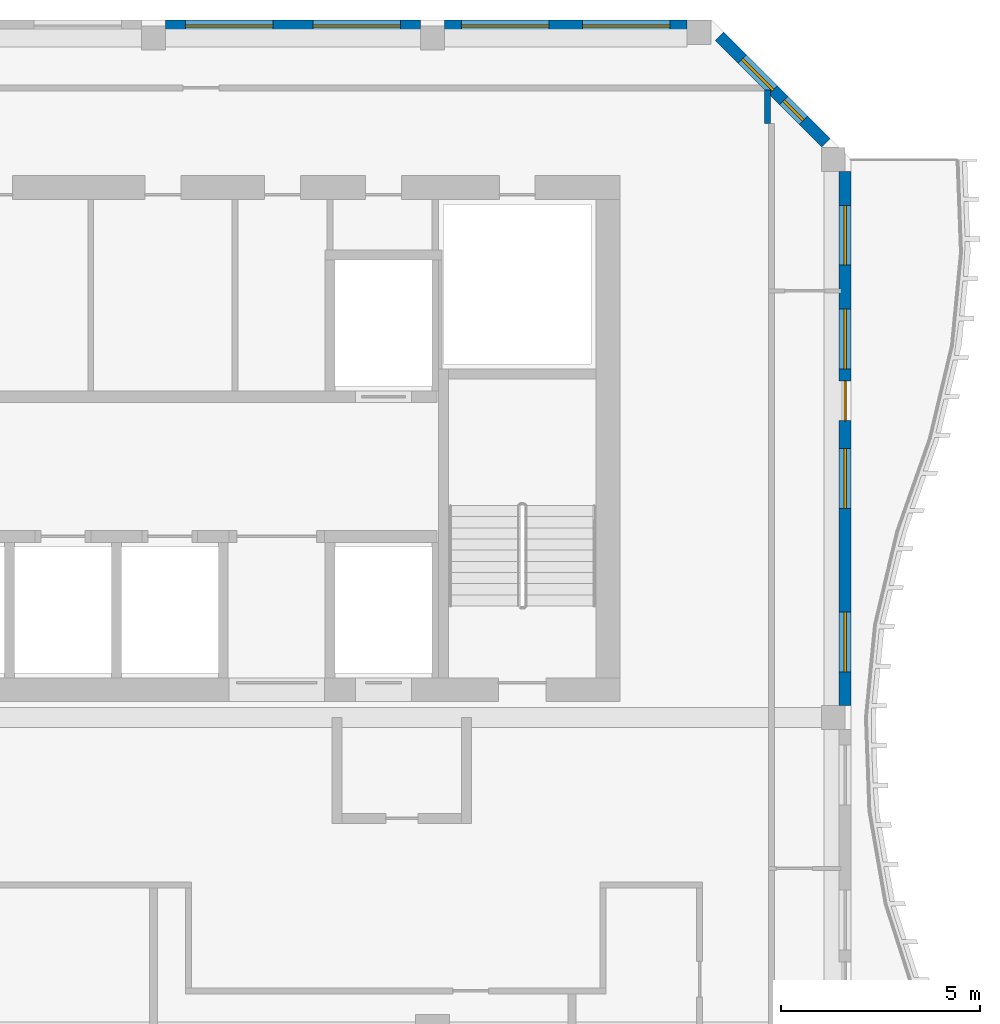
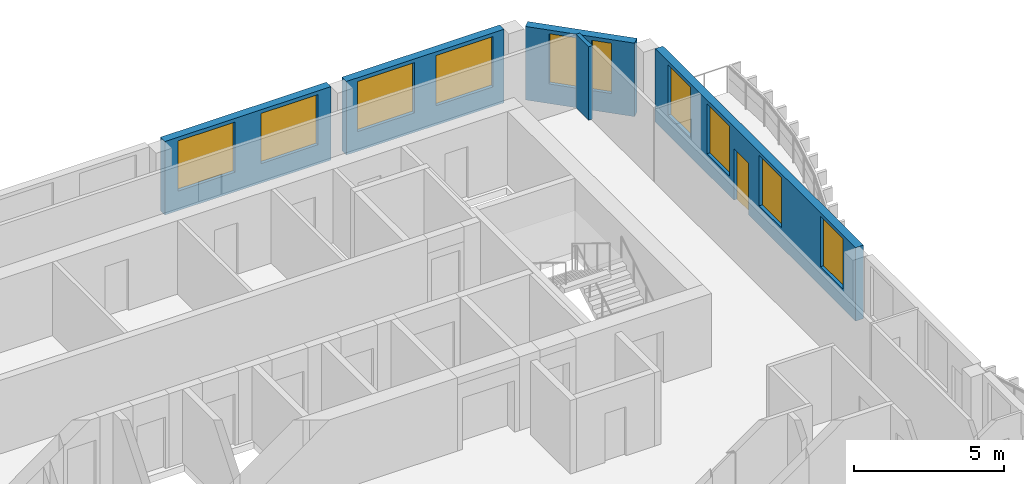
# One storey, part 9 of 14: 10 windows, 5 walls, 1 door, 11 openings.
"""IFC4 building model written with IfcOpenShell, lengths in metres."""

from ifc_helpers import new_model, si_unit, direction, frame, frame_2d, origin, place, context, subcontext, project, spatial, rectangle, extrude, source, transform, mapped, material, layer, layer_set, type_object, element, fill, save


model = new_model("IFC4")

# Units and contexts
model_context = context("Model", 3, precision=1e-05, world=origin(), true_north=direction((0.0, 1.0)))
body_context = subcontext(model_context, "Body", "Model", "MODEL_VIEW")
ifc_project = project(units=[si_unit("LENGTHUNIT", "METRE"), si_unit("AREAUNIT", "SQUARE_METRE"), si_unit("VOLUMEUNIT", "CUBIC_METRE"), si_unit("PLANEANGLEUNIT", "RADIAN"), si_unit("MASSUNIT", "GRAM", prefix="KILO")], contexts=[model_context])

# Site, building, storey
site_placement = place(None, origin())
site = spatial("IfcSite", under=ifc_project, at=site_placement, CompositionType="ELEMENT")
building_placement = place(site_placement, origin())
building = spatial("IfcBuilding", under=site, at=building_placement, Name="Kilnfold Tower and Market Hall", CompositionType="ELEMENT")
storey_placement = place(building_placement, frame((0.0, 0.0, 315.39990234375)))
storey = spatial("IfcBuildingStorey", under=building, at=storey_placement, Name="L79", CompositionType="ELEMENT", Elevation=315.39990234375)

# Wall
ifc_material_1 = material(Name="Gypsum board on steel studs", Category="steel")
ifc_layer_1 = layer(ifc_material_1, 0.14990234375)
ifc_layer_set_1 = layer_set([ifc_layer_1], Name="Gypsum board on steel studs")
wall_type_1 = type_object("IfcWallType", Name="WALL CORRIDOR 150", PredefinedType="PARTITIONING", material=ifc_layer_set_1)
wall_1_placement = place(storey_placement, frame((21.39990234375, 22.89990234375, 0.0), z_axis=(0.0, 0.0, 1.0), x_axis=(0.0, 1.0, 0.0)))
element("IfcWall", 1, at=wall_1_placement, inside=storey, type_object=wall_type_1, Name="Partition LY47.8", PredefinedType="PARTITIONING", context=body_context, shape_type="SweptSolid", body=[
    extrude(rectangle(XDim=0.84619140625, YDim=0.14990234375, at=frame_2d((0.423095703125, 0.0))), origin(), (0.0, 0.0, 1.0), 3.0),
])

# Wall, openings, windows
ifc_material_2 = material(Name="Precast concrete C50/60", Category="concrete")
ifc_layer_2 = layer(ifc_material_2, 0.300048828125)
ifc_layer_set_2 = layer_set([ifc_layer_2], Name="Precast concrete C50/60")
wall_type_2 = type_object("IfcWallType", Name="PRECAST WALL 300", PredefinedType="SOLIDWALL", material=ifc_layer_set_2)
shared_shape_1 = source(origin(), body_context, "Body", "SweptSolid", [
    extrude(rectangle(XDim=6.39990234375, YDim=0.300048828125, at=frame_2d((3.199951171875, 0.0))), origin(), (0.0, 0.0, 1.0), 3.0),
])
wall_2_placement = place(storey_placement, frame((12.699951171875, 25.35009765625, 0.0), z_axis=(0.0, 0.0, 1.0), x_axis=(-1.0, 0.0, 0.0)))
wall_2 = element("IfcWall", 2, at=wall_2_placement, inside=storey, type_object=wall_type_2, Name="External wall L79 N", PredefinedType="SOLIDWALL", context=body_context, shape_type="MappedRepresentation", body=[
    mapped(shared_shape_1, transform((0.0, 0.0, 0.0))),
])
opening_1_placement = place(wall_2_placement, frame((0.5, 0.0, 0.800048828125)))
opening_1 = element("IfcOpeningElement", 3, at=opening_1_placement, cuts=wall_2, Name="Opening W3", PredefinedType="OPENING", context=body_context, shape_type="SweptSolid", body=[
    extrude(rectangle(XDim=2.199951171875, YDim=2.050048828125, at=frame_2d((1.10009765625, 1.02490234375))), frame((0.0, 0.16015625, 0.0), z_axis=(0.0, -1.0, 0.0), x_axis=(1.0, 0.0, 0.0)), (0.0, 0.0, 1.0), 0.320068359375),
])
opening_2_placement = place(wall_2_placement, frame((3.699951171875, 0.0, 0.800048828125)))
opening_2 = element("IfcOpeningElement", 4, at=opening_2_placement, cuts=wall_2, Name="Opening W3", PredefinedType="OPENING", context=body_context, shape_type="SweptSolid", body=[
    extrude(rectangle(XDim=2.199951171875, YDim=2.050048828125, at=frame_2d((1.10009765625, 1.02490234375))), frame((0.0, 0.16015625, 0.0), z_axis=(0.0, -1.0, 0.0), x_axis=(1.0, 0.0, 0.0)), (0.0, 0.0, 1.0), 0.320068359375),
])
ifc_material_3 = material(Name="Aluminium frame and double glazing", Category="aluminium")
window_type_1 = type_object("IfcWindowType", Name="WINDOW W3 2200X2050", PartitioningType="SINGLE_PANEL", PredefinedType="WINDOW", material=ifc_material_3)
window_1_placement = place(opening_1_placement, origin())
window_1 = element("IfcWindow", 5, at=window_1_placement, inside=storey, type_object=window_type_1, Name="Window W3 L79 N-1", OverallHeight=2.050048828125, OverallWidth=2.199951171875, PartitioningType="SINGLE_PANEL", PredefinedType="WINDOW", context=body_context, shape_type="SweptSolid", body=[
    extrude(rectangle(XDim=2.199951171875, YDim=2.050048828125, at=frame_2d((1.10009765625, 1.02490234375))), frame((0.0, 0.030029296875, 0.0), z_axis=(0.0, -1.0, 0.0), x_axis=(1.0, 0.0, 0.0)), (0.0, 0.0, 1.0), 0.06005859375),
])
fill(opening_1, window_1)
window_2_placement = place(opening_2_placement, origin())
window_2 = element("IfcWindow", 6, at=window_2_placement, inside=storey, type_object=window_type_1, Name="Window W3 L79 N-2", OverallHeight=2.050048828125, OverallWidth=2.199951171875, PartitioningType="SINGLE_PANEL", PredefinedType="WINDOW", context=body_context, shape_type="SweptSolid", body=[
    extrude(rectangle(XDim=2.199951171875, YDim=2.050048828125, at=frame_2d((1.10009765625, 1.02490234375))), frame((0.0, 0.030029296875, 0.0), z_axis=(0.0, -1.0, 0.0), x_axis=(1.0, 0.0, 0.0)), (0.0, 0.0, 1.0), 0.06005859375),
])
fill(opening_2, window_2)

shared_shape_2 = source(origin(), body_context, "Body", "SweptSolid", [
    extrude(rectangle(XDim=3.783203125, YDim=0.300048828125, at=frame_2d((1.8916015625, 0.0))), origin(), (0.0, 0.0, 1.0), 3.0),
])
wall_3_placement = place(storey_placement, frame((22.868896484375, 22.4189453125, 0.0), z_axis=(0.0, 0.0, 1.0), x_axis=(-0.707106781187, 0.707106781187, 0.0)))
wall_3 = element("IfcWall", 7, at=wall_3_placement, inside=storey, type_object=wall_type_2, Name="External wall L79 NE", PredefinedType="SOLIDWALL", context=body_context, shape_type="MappedRepresentation", body=[
    mapped(shared_shape_2, transform((0.0, 0.0, 0.0))),
])
opening_3_placement = place(wall_3_placement, frame((0.797119140625, 0.0, 0.800048828125)))
opening_3 = element("IfcOpeningElement", 8, at=opening_3_placement, cuts=wall_3, Name="Opening W3-D", PredefinedType="OPENING", context=body_context, shape_type="SweptSolid", body=[
    extrude(rectangle(XDim=0.699951171875, YDim=2.050048828125, at=frame_2d((0.35009765625, 1.02490234375))), frame((0.0, 0.16015625, 0.0), z_axis=(0.0, -1.0, 0.0), x_axis=(1.0, 0.0, 0.0)), (0.0, 0.0, 1.0), 0.320068359375),
])
opening_4_placement = place(wall_3_placement, frame((1.872314453125, 0.0, 0.800048828125)))
opening_4 = element("IfcOpeningElement", 9, at=opening_4_placement, cuts=wall_3, Name="Opening W3-G", PredefinedType="OPENING", context=body_context, shape_type="SweptSolid", body=[
    extrude(rectangle(XDim=1.10009765625, YDim=2.050048828125, at=frame_2d((0.550048828125, 1.02490234375))), frame((0.0, 0.16015625, 0.0), z_axis=(0.0, -1.0, 0.0), x_axis=(1.0, 0.0, 0.0)), (0.0, 0.0, 1.0), 0.320068359375),
])
ifc_material_4 = material(Name="Aluminium frame and double glazing", Category="aluminium")
window_type_2 = type_object("IfcWindowType", Name="WINDOW W3-D 700X2050", PartitioningType="SINGLE_PANEL", PredefinedType="WINDOW", material=ifc_material_4)
window_3_placement = place(opening_3_placement, origin())
window_3 = element("IfcWindow", 10, at=window_3_placement, inside=storey, type_object=window_type_2, Name="Window W3-D L79 NE-1", OverallHeight=2.050048828125, OverallWidth=0.699951171875, PartitioningType="SINGLE_PANEL", PredefinedType="WINDOW", context=body_context, shape_type="SweptSolid", body=[
    extrude(rectangle(XDim=0.699951171875, YDim=2.050048828125, at=frame_2d((0.35009765625, 1.02490234375))), frame((0.0, 0.030029296875, 0.0), z_axis=(0.0, -1.0, 0.0), x_axis=(1.0, 0.0, 0.0)), (0.0, 0.0, 1.0), 0.06005859375),
])
fill(opening_3, window_3)
ifc_material_5 = material(Name="Aluminium frame and double glazing", Category="aluminium")
window_type_3 = type_object("IfcWindowType", Name="WINDOW W3-G 1100X2050", PartitioningType="SINGLE_PANEL", PredefinedType="WINDOW", material=ifc_material_5)
window_4_placement = place(opening_4_placement, origin())
window_4 = element("IfcWindow", 11, at=window_4_placement, inside=storey, type_object=window_type_3, Name="Window W3-D L79 NE-1", OverallHeight=2.050048828125, OverallWidth=1.10009765625, PartitioningType="SINGLE_PANEL", PredefinedType="WINDOW", context=body_context, shape_type="SweptSolid", body=[
    extrude(rectangle(XDim=1.10009765625, YDim=2.050048828125, at=frame_2d((0.550048828125, 1.02490234375))), frame((0.0, 0.030029296875, 0.0), z_axis=(0.0, -1.0, 0.0), x_axis=(1.0, 0.0, 0.0)), (0.0, 0.0, 1.0), 0.06005859375),
])
fill(opening_4, window_4)

# Wall, openings, door, windows
shared_shape_3 = source(origin(), body_context, "Body", "SweptSolid", [
    extrude(rectangle(XDim=13.39990234375, YDim=0.300048828125, at=frame_2d((6.699951171875, 0.0))), origin(), (0.0, 0.0, 1.0), 3.0),
])
wall_4_placement = place(storey_placement, frame((23.35009765625, 8.300048828125, 0.0), z_axis=(0.0, 0.0, 1.0), x_axis=(0.0, 1.0, 0.0)))
wall_4 = element("IfcWall", 12, at=wall_4_placement, inside=storey, type_object=wall_type_2, Name="External wall L79 E", PredefinedType="SOLIDWALL", context=body_context, shape_type="MappedRepresentation", body=[
    mapped(shared_shape_3, transform((0.0, 0.0, 0.0))),
])
opening_5_placement = place(wall_4_placement, frame((0.85009765625, 0.0, 0.800048828125)))
opening_5 = element("IfcOpeningElement", 13, at=opening_5_placement, cuts=wall_4, Name="Opening W5", PredefinedType="OPENING", context=body_context, shape_type="SweptSolid", body=[
    extrude(rectangle(XDim=1.5, YDim=2.050048828125, at=frame_2d((0.75, 1.02490234375))), frame((0.0, 0.16015625, 0.0), z_axis=(0.0, -1.0, 0.0), x_axis=(1.0, 0.0, 0.0)), (0.0, 0.0, 1.0), 0.320068359375),
])
opening_6_placement = place(wall_4_placement, frame((4.949951171875, 0.0, 0.800048828125)))
opening_6 = element("IfcOpeningElement", 14, at=opening_6_placement, cuts=wall_4, Name="Opening W5", PredefinedType="OPENING", context=body_context, shape_type="SweptSolid", body=[
    extrude(rectangle(XDim=1.5, YDim=2.050048828125, at=frame_2d((0.75, 1.02490234375))), frame((0.0, 0.16015625, 0.0), z_axis=(0.0, -1.0, 0.0), x_axis=(1.0, 0.0, 0.0)), (0.0, 0.0, 1.0), 0.320068359375),
])
opening_7_placement = place(wall_4_placement, frame((8.449951171875, 0.0, 0.800048828125)))
opening_7 = element("IfcOpeningElement", 15, at=opening_7_placement, cuts=wall_4, Name="Opening W5", PredefinedType="OPENING", context=body_context, shape_type="SweptSolid", body=[
    extrude(rectangle(XDim=1.5, YDim=2.050048828125, at=frame_2d((0.75, 1.02490234375))), frame((0.0, 0.16015625, 0.0), z_axis=(0.0, -1.0, 0.0), x_axis=(1.0, 0.0, 0.0)), (0.0, 0.0, 1.0), 0.320068359375),
])
opening_8_placement = place(wall_4_placement, frame((7.14990234375, 0.0, 0.0)))
opening_8 = element("IfcOpeningElement", 16, at=opening_8_placement, cuts=wall_4, Name="Opening BD1", PredefinedType="OPENING", context=body_context, shape_type="SweptSolid", body=[
    extrude(rectangle(XDim=1.0, YDim=2.10009765625, at=frame_2d((0.5, 1.050048828125))), frame((0.0, 0.16015625, 0.0), z_axis=(0.0, -1.0, 0.0), x_axis=(1.0, 0.0, 0.0)), (0.0, 0.0, 1.0), 0.320068359375),
])
opening_9_placement = place(wall_4_placement, frame((11.050048828125, 0.0, 0.800048828125)))
opening_9 = element("IfcOpeningElement", 17, at=opening_9_placement, cuts=wall_4, Name="Opening W5", PredefinedType="OPENING", context=body_context, shape_type="SweptSolid", body=[
    extrude(rectangle(XDim=1.5, YDim=2.050048828125, at=frame_2d((0.75, 1.02490234375))), frame((0.0, 0.16015625, 0.0), z_axis=(0.0, -1.0, 0.0), x_axis=(1.0, 0.0, 0.0)), (0.0, 0.0, 1.0), 0.320068359375),
])
ifc_material_6 = material(Name="Aluminium frame and double glazing", Category="aluminium")
door_type = type_object("IfcDoorType", Name="BALCONY DOOR 1000X2100", OperationType="NOTDEFINED", PredefinedType="DOOR", material=ifc_material_6)
door_placement = place(opening_8_placement, origin())
door = element("IfcDoor", 18, at=door_placement, inside=storey, type_object=door_type, Name="Balcony door BD1 L79 E-3", OperationType="SINGLE_SWING_LEFT", OverallHeight=2.10009765625, OverallWidth=1.0, PredefinedType="DOOR", context=body_context, shape_type="SweptSolid", body=[
    extrude(rectangle(XDim=1.0, YDim=2.10009765625, at=frame_2d((0.5, 1.050048828125))), frame((0.0, 0.02490234375, 0.0), z_axis=(0.0, -1.0, 0.0), x_axis=(1.0, 0.0, 0.0)), (0.0, 0.0, 1.0), 0.050048828125),
])
fill(opening_8, door)
ifc_material_7 = material(Name="Aluminium frame and double glazing", Category="aluminium")
window_type_4 = type_object("IfcWindowType", Name="WINDOW W5 1500X2050", PartitioningType="SINGLE_PANEL", PredefinedType="WINDOW", material=ifc_material_7)
window_5_placement = place(opening_5_placement, origin())
window_5 = element("IfcWindow", 19, at=window_5_placement, inside=storey, type_object=window_type_4, Name="Window W5 L79 E-1", OverallHeight=2.050048828125, OverallWidth=1.5, PartitioningType="SINGLE_PANEL", PredefinedType="WINDOW", context=body_context, shape_type="SweptSolid", body=[
    extrude(rectangle(XDim=1.5, YDim=2.050048828125, at=frame_2d((0.75, 1.02490234375))), frame((0.0, 0.030029296875, 0.0), z_axis=(0.0, -1.0, 0.0), x_axis=(1.0, 0.0, 0.0)), (0.0, 0.0, 1.0), 0.06005859375),
])
fill(opening_5, window_5)
window_6_placement = place(opening_6_placement, origin())
window_6 = element("IfcWindow", 20, at=window_6_placement, inside=storey, type_object=window_type_4, Name="Window W5 L79 E-2", OverallHeight=2.050048828125, OverallWidth=1.5, PartitioningType="SINGLE_PANEL", PredefinedType="WINDOW", context=body_context, shape_type="SweptSolid", body=[
    extrude(rectangle(XDim=1.5, YDim=2.050048828125, at=frame_2d((0.75, 1.02490234375))), frame((0.0, 0.030029296875, 0.0), z_axis=(0.0, -1.0, 0.0), x_axis=(1.0, 0.0, 0.0)), (0.0, 0.0, 1.0), 0.06005859375),
])
fill(opening_6, window_6)
window_7_placement = place(opening_7_placement, origin())
window_7 = element("IfcWindow", 21, at=window_7_placement, inside=storey, type_object=window_type_4, Name="Window W5 L79 E-3", OverallHeight=2.050048828125, OverallWidth=1.5, PartitioningType="SINGLE_PANEL", PredefinedType="WINDOW", context=body_context, shape_type="SweptSolid", body=[
    extrude(rectangle(XDim=1.5, YDim=2.050048828125, at=frame_2d((0.75, 1.02490234375))), frame((0.0, 0.030029296875, 0.0), z_axis=(0.0, -1.0, 0.0), x_axis=(1.0, 0.0, 0.0)), (0.0, 0.0, 1.0), 0.06005859375),
])
fill(opening_7, window_7)
window_8_placement = place(opening_9_placement, origin())
window_8 = element("IfcWindow", 22, at=window_8_placement, inside=storey, type_object=window_type_4, Name="Window W5 L79 E-4", OverallHeight=2.050048828125, OverallWidth=1.5, PartitioningType="SINGLE_PANEL", PredefinedType="WINDOW", context=body_context, shape_type="SweptSolid", body=[
    extrude(rectangle(XDim=1.5, YDim=2.050048828125, at=frame_2d((0.75, 1.02490234375))), frame((0.0, 0.030029296875, 0.0), z_axis=(0.0, -1.0, 0.0), x_axis=(1.0, 0.0, 0.0)), (0.0, 0.0, 1.0), 0.06005859375),
])
fill(opening_9, window_8)

# Wall, openings, windows
shared_shape_4 = source(origin(), body_context, "Body", "SweptSolid", [
    extrude(rectangle(XDim=6.081787109375, YDim=0.300048828125, at=frame_2d((3.041015625, 0.0))), origin(), (0.0, 0.0, 1.0), 3.0),
])
wall_5_placement = place(storey_placement, frame((19.3818359375, 25.35009765625, 0.0), z_axis=(0.0, 0.0, 1.0), x_axis=(-1.0, 0.0, 0.0)))
wall_5 = element("IfcWall", 23, at=wall_5_placement, inside=storey, type_object=wall_type_2, Name="External wall L79 N", PredefinedType="SOLIDWALL", context=body_context, shape_type="MappedRepresentation", body=[
    mapped(shared_shape_4, transform((0.0, 0.0, 0.0))),
])
opening_10_placement = place(wall_5_placement, frame((0.42041015625, 0.0, 0.800048828125)))
opening_10 = element("IfcOpeningElement", 24, at=opening_10_placement, cuts=wall_5, Name="Opening W3", PredefinedType="OPENING", context=body_context, shape_type="SweptSolid", body=[
    extrude(rectangle(XDim=2.199951171875, YDim=2.050048828125, at=frame_2d((1.10009765625, 1.02490234375))), frame((0.0, 0.16015625, 0.0), z_axis=(0.0, -1.0, 0.0), x_axis=(1.0, 0.0, 0.0)), (0.0, 0.0, 1.0), 0.320068359375),
])
opening_11_placement = place(wall_5_placement, frame((3.461181640625, 0.0, 0.800048828125)))
opening_11 = element("IfcOpeningElement", 25, at=opening_11_placement, cuts=wall_5, Name="Opening W3", PredefinedType="OPENING", context=body_context, shape_type="SweptSolid", body=[
    extrude(rectangle(XDim=2.199951171875, YDim=2.050048828125, at=frame_2d((1.10009765625, 1.02490234375))), frame((0.0, 0.16015625, 0.0), z_axis=(0.0, -1.0, 0.0), x_axis=(1.0, 0.0, 0.0)), (0.0, 0.0, 1.0), 0.320068359375),
])
window_9_placement = place(opening_10_placement, origin())
window_9 = element("IfcWindow", 26, at=window_9_placement, inside=storey, type_object=window_type_1, Name="Window W3 L79 N-1", OverallHeight=2.050048828125, OverallWidth=2.199951171875, PartitioningType="SINGLE_PANEL", PredefinedType="WINDOW", context=body_context, shape_type="SweptSolid", body=[
    extrude(rectangle(XDim=2.199951171875, YDim=2.050048828125, at=frame_2d((1.10009765625, 1.02490234375))), frame((0.0, 0.030029296875, 0.0), z_axis=(0.0, -1.0, 0.0), x_axis=(1.0, 0.0, 0.0)), (0.0, 0.0, 1.0), 0.06005859375),
])
fill(opening_10, window_9)
window_10_placement = place(opening_11_placement, origin())
window_10 = element("IfcWindow", 27, at=window_10_placement, inside=storey, type_object=window_type_1, Name="Window W3 L79 N-2", OverallHeight=2.050048828125, OverallWidth=2.199951171875, PartitioningType="SINGLE_PANEL", PredefinedType="WINDOW", context=body_context, shape_type="SweptSolid", body=[
    extrude(rectangle(XDim=2.199951171875, YDim=2.050048828125, at=frame_2d((1.10009765625, 1.02490234375))), frame((0.0, 0.030029296875, 0.0), z_axis=(0.0, -1.0, 0.0), x_axis=(1.0, 0.0, 0.0)), (0.0, 0.0, 1.0), 0.06005859375),
])
fill(opening_11, window_10)

save(model, "model.ifc")
